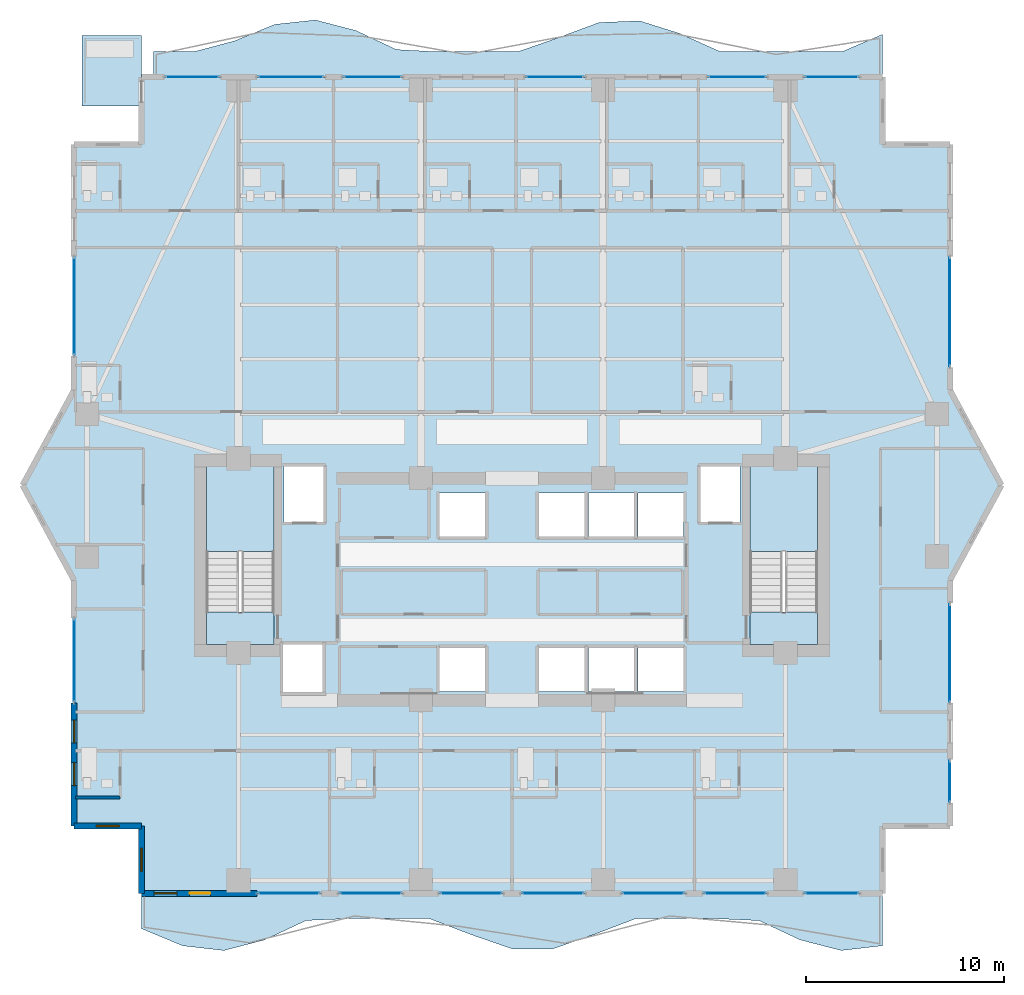
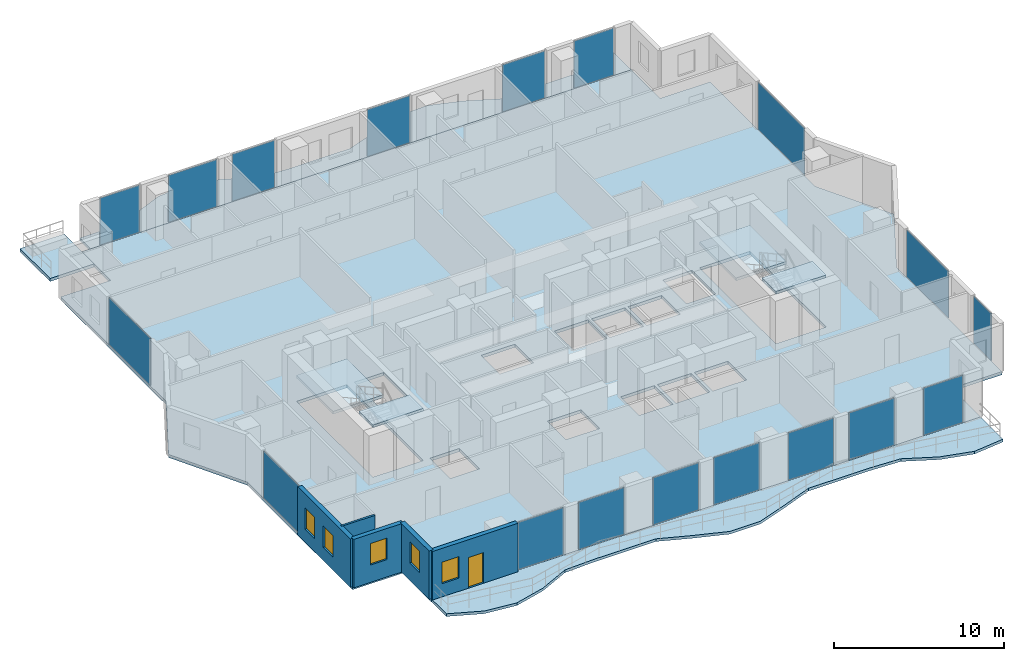
# One storey, part 23 of 33: 18 plates, 8 slabs, 5 walls, 5 windows, 1 door, 6 openings, 20 elements without a shape of their own.
"""IFC4 building model written with IfcOpenShell, lengths in metres."""

from ifc_helpers import new_model, si_unit, direction, frame, frame_2d, origin, origin_2d, place, context, subcontext, project, spatial, polyline, rectangle, outline, extrude, material, layer, layer_set, type_object, element, fill, aggregate, save


model = new_model("IFC4")

# Units and contexts
model_context = context("Model", 3, precision=1e-05, world=origin(), true_north=direction((0.0, 1.0)))
body_context = subcontext(model_context, "Body", "Model", "MODEL_VIEW")
ifc_project = project(units=[si_unit("LENGTHUNIT", "METRE"), si_unit("AREAUNIT", "SQUARE_METRE"), si_unit("VOLUMEUNIT", "CUBIC_METRE"), si_unit("PLANEANGLEUNIT", "RADIAN"), si_unit("MASSUNIT", "GRAM", prefix="KILO")], contexts=[model_context])

# Site, building, storey
site_placement = place(None, origin())
site = spatial("IfcSite", under=ifc_project, at=site_placement, CompositionType="ELEMENT")
building_placement = place(site_placement, origin())
building = spatial("IfcBuilding", under=site, at=building_placement, Name="Zuhayl Quay Hotel", CompositionType="ELEMENT")
storey_placement = place(building_placement, frame((0.0, 0.0, 229.89990234375)))
storey = spatial("IfcBuildingStorey", under=building, at=storey_placement, Name="L58", CompositionType="ELEMENT", Elevation=229.89990234375)

# Curtain wall, plate
ifc_material_1 = material(Name="Anodised Aluminium 6063-T6", Category="aluminium")
ifc_layer_1 = layer(ifc_material_1, 0.175048828125, Name="Anodised Aluminium 6063-T6", Category="aluminium")
ifc_layer_set_1 = layer_set([ifc_layer_1], Name="Anodised Aluminium 6063-T6")
curtain_wall_type = type_object("IfcCurtainWallType", Name="CW_SYS_Z3", PredefinedType="USERDEFINED", material=ifc_layer_set_1)
curtain_wall_1_placement = place(storey_placement, origin())
curtain_wall_1 = element("IfcCurtainWall", 1, at=curtain_wall_1_placement, inside=storey, type_object=curtain_wall_type, Name="L58 Curtain Wall ENV_L58_E02_CW1", ObjectType="UNITISED CURTAIN WALL", PredefinedType="USERDEFINED")
ifc_material_2 = material(Name="Dark Ceramic-Fritted Solar Glass", Category="glass")
ifc_layer_2 = layer(ifc_material_2, 0.0400390625, Name="Dark Ceramic-Fritted Solar Glass", Category="glass")
ifc_layer_set_2 = layer_set([ifc_layer_2], Name="Dark Ceramic-Fritted Solar Glass")
plate_type = type_object("IfcPlateType", Name="PN_OP_VENT_Z3", PredefinedType="CURTAIN_PANEL", material=ifc_layer_set_2)
plate_1_placement = place(storey_placement, frame((-22.10009765625, 4.14990234375, 0.05517578125), z_axis=(0.0, 0.0, 1.0), x_axis=(0.0, 1.0, 0.0)))
plate_1 = element("IfcPlate", 2, at=plate_1_placement, type_object=plate_type, Name="CW-Z3 panel 1.1", PredefinedType="CURTAIN_PANEL", context=body_context, shape_type="SweptSolid", body=[
    extrude(rectangle(XDim=4.169921875, YDim=0.0400390625, at=origin_2d()), origin(), (0.0, 0.0, 1.0), 3.3798828125),
])
aggregate(curtain_wall_1, [plate_1])

curtain_wall_2_placement = place(storey_placement, origin())
curtain_wall_2 = element("IfcCurtainWall", 3, at=curtain_wall_2_placement, inside=storey, type_object=curtain_wall_type, Name="L58 Curtain Wall ENV_L58_E05_CW1", ObjectType="UNITISED CURTAIN WALL", PredefinedType="USERDEFINED")
plate_2_placement = place(storey_placement, frame((-22.10009765625, 22.030029296875, 0.05517578125), z_axis=(0.0, 0.0, 1.0), x_axis=(0.0, 1.0, 0.0)))
plate_2 = element("IfcPlate", 4, at=plate_2_placement, type_object=plate_type, Name="CW-Z3 panel 1.1", PredefinedType="CURTAIN_PANEL", context=body_context, shape_type="SweptSolid", body=[
    extrude(rectangle(XDim=4.909912109375, YDim=0.0400390625, at=origin_2d()), origin(), (0.0, 0.0, 1.0), 3.3798828125),
])
aggregate(curtain_wall_2, [plate_2])

curtain_wall_3_placement = place(storey_placement, origin())
curtain_wall_3 = element("IfcCurtainWall", 5, at=curtain_wall_3_placement, inside=storey, type_object=curtain_wall_type, Name="L58 Curtain Wall ENV_L58_N_CW1", ObjectType="UNITISED CURTAIN WALL", PredefinedType="USERDEFINED")
plate_3_placement = place(storey_placement, frame((-16.135009765625, 33.60009765625, 0.05517578125), z_axis=(0.0, 0.0, 1.0), x_axis=(1.0, 0.0, 0.0)))
plate_3 = element("IfcPlate", 6, at=plate_3_placement, type_object=plate_type, Name="CW-Z3 panel 1.1", PredefinedType="CURTAIN_PANEL", context=body_context, shape_type="SweptSolid", body=[
    extrude(rectangle(XDim=2.699951171875, YDim=0.0400390625, at=origin_2d()), origin(), (0.0, 0.0, 1.0), 3.3798828125),
])
aggregate(curtain_wall_3, [plate_3])

curtain_wall_4_placement = place(storey_placement, origin())
curtain_wall_4 = element("IfcCurtainWall", 7, at=curtain_wall_4_placement, inside=storey, type_object=curtain_wall_type, Name="L58 Curtain Wall ENV_L58_N_CW2", ObjectType="UNITISED CURTAIN WALL", PredefinedType="USERDEFINED")
plate_4_placement = place(storey_placement, frame((-11.1650390625, 33.60009765625, 0.05517578125), z_axis=(0.0, 0.0, 1.0), x_axis=(1.0, 0.0, 0.0)))
plate_4 = element("IfcPlate", 8, at=plate_4_placement, type_object=plate_type, Name="CW-Z3 panel 1.1", PredefinedType="CURTAIN_PANEL", context=body_context, shape_type="SweptSolid", body=[
    extrude(rectangle(XDim=3.300048828125, YDim=0.0400390625, at=origin_2d()), origin(), (0.0, 0.0, 1.0), 3.3798828125),
])
aggregate(curtain_wall_4, [plate_4])

curtain_wall_5_placement = place(storey_placement, origin())
curtain_wall_5 = element("IfcCurtainWall", 9, at=curtain_wall_5_placement, inside=storey, type_object=curtain_wall_type, Name="L58 Curtain Wall ENV_L58_N_CW3", ObjectType="UNITISED CURTAIN WALL", PredefinedType="USERDEFINED")
plate_5_placement = place(storey_placement, frame((-7.034912109375, 33.60009765625, 0.05517578125), z_axis=(0.0, 0.0, 1.0), x_axis=(1.0, 0.0, 0.0)))
plate_5 = element("IfcPlate", 10, at=plate_5_placement, type_object=plate_type, Name="CW-Z3 panel 1.1", PredefinedType="CURTAIN_PANEL", context=body_context, shape_type="SweptSolid", body=[
    extrude(rectangle(XDim=2.89990234375, YDim=0.0400390625, at=origin_2d()), origin(), (0.0, 0.0, 1.0), 3.3798828125),
])
aggregate(curtain_wall_5, [plate_5])

curtain_wall_6_placement = place(storey_placement, origin())
curtain_wall_6 = element("IfcCurtainWall", 11, at=curtain_wall_6_placement, inside=storey, type_object=curtain_wall_type, Name="L58 Curtain Wall ENV_L58_N_CW4", ObjectType="UNITISED CURTAIN WALL", PredefinedType="USERDEFINED")
plate_6_placement = place(storey_placement, frame((2.1650390625, 33.60009765625, 0.05517578125), z_axis=(0.0, 0.0, 1.0), x_axis=(1.0, 0.0, 0.0)))
plate_6 = element("IfcPlate", 12, at=plate_6_placement, type_object=plate_type, Name="CW-Z3 panel 1.1", PredefinedType="CURTAIN_PANEL", context=body_context, shape_type="SweptSolid", body=[
    extrude(rectangle(XDim=2.89990234375, YDim=0.0400390625, at=origin_2d()), origin(), (0.0, 0.0, 1.0), 3.3798828125),
])
aggregate(curtain_wall_6, [plate_6])

curtain_wall_7_placement = place(storey_placement, origin())
curtain_wall_7 = element("IfcCurtainWall", 13, at=curtain_wall_7_placement, inside=storey, type_object=curtain_wall_type, Name="L58 Curtain Wall ENV_L58_N_CW5", ObjectType="UNITISED CURTAIN WALL", PredefinedType="USERDEFINED")
plate_7_placement = place(storey_placement, frame((11.364990234375, 33.60009765625, 0.05517578125), z_axis=(0.0, 0.0, 1.0), x_axis=(1.0, 0.0, 0.0)))
plate_7 = element("IfcPlate", 14, at=plate_7_placement, type_object=plate_type, Name="CW-Z3 panel 1.1", PredefinedType="CURTAIN_PANEL", context=body_context, shape_type="SweptSolid", body=[
    extrude(rectangle(XDim=2.89990234375, YDim=0.0400390625, at=origin_2d()), origin(), (0.0, 0.0, 1.0), 3.3798828125),
])
aggregate(curtain_wall_7, [plate_7])

curtain_wall_8_placement = place(storey_placement, origin())
curtain_wall_8 = element("IfcCurtainWall", 15, at=curtain_wall_8_placement, inside=storey, type_object=curtain_wall_type, Name="L58 Curtain Wall ENV_L58_N_CW6", ObjectType="UNITISED CURTAIN WALL", PredefinedType="USERDEFINED")
plate_8_placement = place(storey_placement, frame((16.135009765625, 33.60009765625, 0.05517578125), z_axis=(0.0, 0.0, 1.0), x_axis=(1.0, 0.0, 0.0)))
plate_8 = element("IfcPlate", 16, at=plate_8_placement, type_object=plate_type, Name="CW-Z3 panel 1.1", PredefinedType="CURTAIN_PANEL", context=body_context, shape_type="SweptSolid", body=[
    extrude(rectangle(XDim=2.699951171875, YDim=0.0400390625, at=origin_2d()), origin(), (0.0, 0.0, 1.0), 3.3798828125),
])
aggregate(curtain_wall_8, [plate_8])

curtain_wall_9_placement = place(storey_placement, origin())
curtain_wall_9 = element("IfcCurtainWall", 17, at=curtain_wall_9_placement, inside=storey, type_object=curtain_wall_type, Name="L58 Curtain Wall ENV_L58_E11_CW1", ObjectType="UNITISED CURTAIN WALL", PredefinedType="USERDEFINED")
plate_9_placement = place(storey_placement, frame((22.10009765625, 21.75, 0.05517578125), z_axis=(0.0, 0.0, 1.0), x_axis=(0.0, -1.0, 0.0)))
plate_9 = element("IfcPlate", 18, at=plate_9_placement, type_object=plate_type, Name="CW-Z3 panel 1.1", PredefinedType="CURTAIN_PANEL", context=body_context, shape_type="SweptSolid", body=[
    extrude(rectangle(XDim=5.469970703125, YDim=0.0400390625, at=origin_2d()), origin(), (0.0, 0.0, 1.0), 3.3798828125),
])
aggregate(curtain_wall_9, [plate_9])

curtain_wall_10_placement = place(storey_placement, origin())
curtain_wall_10 = element("IfcCurtainWall", 19, at=curtain_wall_10_placement, inside=storey, type_object=curtain_wall_type, Name="L58 Curtain Wall ENV_L58_E14_CW1", ObjectType="UNITISED CURTAIN WALL", PredefinedType="USERDEFINED")
plate_10_placement = place(storey_placement, frame((22.10009765625, 4.52490234375, 0.05517578125), z_axis=(0.0, 0.0, 1.0), x_axis=(0.0, -1.0, 0.0)))
plate_10 = element("IfcPlate", 20, at=plate_10_placement, type_object=plate_type, Name="CW-Z3 panel 1.1", PredefinedType="CURTAIN_PANEL", context=body_context, shape_type="SweptSolid", body=[
    extrude(rectangle(XDim=4.919921875, YDim=0.0400390625, at=origin_2d()), origin(), (0.0, 0.0, 1.0), 3.3798828125),
])
aggregate(curtain_wall_10, [plate_10])

curtain_wall_11_placement = place(storey_placement, origin())
curtain_wall_11 = element("IfcCurtainWall", 21, at=curtain_wall_11_placement, inside=storey, type_object=curtain_wall_type, Name="L58 Curtain Wall ENV_L58_E14_CW2", ObjectType="UNITISED CURTAIN WALL", PredefinedType="USERDEFINED")
plate_11_placement = place(storey_placement, frame((22.10009765625, -1.949951171875, 0.05517578125), z_axis=(0.0, 0.0, 1.0), x_axis=(0.0, -1.0, 0.0)))
plate_11 = element("IfcPlate", 22, at=plate_11_placement, type_object=plate_type, Name="CW-Z3 panel 1.1", PredefinedType="CURTAIN_PANEL", context=body_context, shape_type="SweptSolid", body=[
    extrude(rectangle(XDim=2.070068359375, YDim=0.0400390625, at=origin_2d()), origin(), (0.0, 0.0, 1.0), 3.3798828125),
])
aggregate(curtain_wall_11, [plate_11])

curtain_wall_12_placement = place(storey_placement, origin())
curtain_wall_12 = element("IfcCurtainWall", 23, at=curtain_wall_12_placement, inside=storey, type_object=curtain_wall_type, Name="L58 Curtain Wall ENV_L58_S_CW1", ObjectType="UNITISED CURTAIN WALL", PredefinedType="USERDEFINED")
plate_12_placement = place(storey_placement, frame((16.135009765625, -7.60009765625, 0.05517578125), z_axis=(0.0, 0.0, 1.0), x_axis=(-1.0, 0.0, 0.0)))
plate_12 = element("IfcPlate", 24, at=plate_12_placement, type_object=plate_type, Name="CW-Z3 panel 1.1", PredefinedType="CURTAIN_PANEL", context=body_context, shape_type="SweptSolid", body=[
    extrude(rectangle(XDim=2.699951171875, YDim=0.0400390625, at=origin_2d()), origin(), (0.0, 0.0, 1.0), 3.3798828125),
])
aggregate(curtain_wall_12, [plate_12])

curtain_wall_13_placement = place(storey_placement, origin())
curtain_wall_13 = element("IfcCurtainWall", 25, at=curtain_wall_13_placement, inside=storey, type_object=curtain_wall_type, Name="L58 Curtain Wall ENV_L58_S_CW2", ObjectType="UNITISED CURTAIN WALL", PredefinedType="USERDEFINED")
plate_13_placement = place(storey_placement, frame((11.264892578125, -7.60009765625, 0.05517578125), z_axis=(0.0, 0.0, 1.0), x_axis=(-1.0, 0.0, 0.0)))
plate_13 = element("IfcPlate", 26, at=plate_13_placement, type_object=plate_type, Name="CW-Z3 panel 1.1", PredefinedType="CURTAIN_PANEL", context=body_context, shape_type="SweptSolid", body=[
    extrude(rectangle(XDim=3.10009765625, YDim=0.0400390625, at=origin_2d()), origin(), (0.0, 0.0, 1.0), 3.3798828125),
])
aggregate(curtain_wall_13, [plate_13])

curtain_wall_14_placement = place(storey_placement, origin())
curtain_wall_14 = element("IfcCurtainWall", 27, at=curtain_wall_14_placement, inside=storey, type_object=curtain_wall_type, Name="L58 Curtain Wall ENV_L58_S_CW3", ObjectType="UNITISED CURTAIN WALL", PredefinedType="USERDEFINED")
plate_14_placement = place(storey_placement, frame((7.135009765625, -7.60009765625, 0.05517578125), z_axis=(0.0, 0.0, 1.0), x_axis=(-1.0, 0.0, 0.0)))
plate_14 = element("IfcPlate", 28, at=plate_14_placement, type_object=plate_type, Name="CW-Z3 panel 1.1", PredefinedType="CURTAIN_PANEL", context=body_context, shape_type="SweptSolid", body=[
    extrude(rectangle(XDim=3.10009765625, YDim=0.0400390625, at=origin_2d()), origin(), (0.0, 0.0, 1.0), 3.3798828125),
])
aggregate(curtain_wall_14, [plate_14])

curtain_wall_15_placement = place(storey_placement, origin())
curtain_wall_15 = element("IfcCurtainWall", 29, at=curtain_wall_15_placement, inside=storey, type_object=curtain_wall_type, Name="L58 Curtain Wall ENV_L58_S_CW4", ObjectType="UNITISED CURTAIN WALL", PredefinedType="USERDEFINED")
plate_15_placement = place(storey_placement, frame((2.06494140625, -7.60009765625, 0.05517578125), z_axis=(0.0, 0.0, 1.0), x_axis=(-1.0, 0.0, 0.0)))
plate_15 = element("IfcPlate", 30, at=plate_15_placement, type_object=plate_type, Name="CW-Z3 panel 1.1", PredefinedType="CURTAIN_PANEL", context=body_context, shape_type="SweptSolid", body=[
    extrude(rectangle(XDim=3.10009765625, YDim=0.0400390625, at=origin_2d()), origin(), (0.0, 0.0, 1.0), 3.3798828125),
])
aggregate(curtain_wall_15, [plate_15])

curtain_wall_16_placement = place(storey_placement, origin())
curtain_wall_16 = element("IfcCurtainWall", 31, at=curtain_wall_16_placement, inside=storey, type_object=curtain_wall_type, Name="L58 Curtain Wall ENV_L58_S_CW5", ObjectType="UNITISED CURTAIN WALL", PredefinedType="USERDEFINED")
plate_16_placement = place(storey_placement, frame((-2.06494140625, -7.60009765625, 0.05517578125), z_axis=(0.0, 0.0, 1.0), x_axis=(-1.0, 0.0, 0.0)))
plate_16 = element("IfcPlate", 32, at=plate_16_placement, type_object=plate_type, Name="CW-Z3 panel 1.1", PredefinedType="CURTAIN_PANEL", context=body_context, shape_type="SweptSolid", body=[
    extrude(rectangle(XDim=3.10009765625, YDim=0.0400390625, at=origin_2d()), origin(), (0.0, 0.0, 1.0), 3.3798828125),
])
aggregate(curtain_wall_16, [plate_16])

curtain_wall_17_placement = place(storey_placement, origin())
curtain_wall_17 = element("IfcCurtainWall", 33, at=curtain_wall_17_placement, inside=storey, type_object=curtain_wall_type, Name="L58 Curtain Wall ENV_L58_S_CW6", ObjectType="UNITISED CURTAIN WALL", PredefinedType="USERDEFINED")
plate_17_placement = place(storey_placement, frame((-7.135009765625, -7.60009765625, 0.05517578125), z_axis=(0.0, 0.0, 1.0), x_axis=(-1.0, 0.0, 0.0)))
plate_17 = element("IfcPlate", 34, at=plate_17_placement, type_object=plate_type, Name="CW-Z3 panel 1.1", PredefinedType="CURTAIN_PANEL", context=body_context, shape_type="SweptSolid", body=[
    extrude(rectangle(XDim=3.10009765625, YDim=0.0400390625, at=origin_2d()), origin(), (0.0, 0.0, 1.0), 3.3798828125),
])
aggregate(curtain_wall_17, [plate_17])

curtain_wall_18_placement = place(storey_placement, origin())
curtain_wall_18 = element("IfcCurtainWall", 35, at=curtain_wall_18_placement, inside=storey, type_object=curtain_wall_type, Name="L58 Curtain Wall ENV_L58_S_CW7", ObjectType="UNITISED CURTAIN WALL", PredefinedType="USERDEFINED")
plate_18_placement = place(storey_placement, frame((-11.264892578125, -7.60009765625, 0.05517578125), z_axis=(0.0, 0.0, 1.0), x_axis=(-1.0, 0.0, 0.0)))
plate_18 = element("IfcPlate", 36, at=plate_18_placement, type_object=plate_type, Name="CW-Z3 panel 1.1", PredefinedType="CURTAIN_PANEL", context=body_context, shape_type="SweptSolid", body=[
    extrude(rectangle(XDim=3.10009765625, YDim=0.0400390625, at=origin_2d()), origin(), (0.0, 0.0, 1.0), 3.3798828125),
])
aggregate(curtain_wall_18, [plate_18])

# Slabs
ifc_material_3 = material(Name="Concrete C45/55", Category="concrete")
ifc_layer_3 = layer(ifc_material_3, 0.195068359375, Name="Concrete C45/55", Category="concrete")
ifc_layer_set_3 = layer_set([ifc_layer_3], Name="Concrete C45/55")
slab_type_1 = type_object("IfcSlabType", Name="SL_BALCONY_195", PredefinedType="FLOOR", material=ifc_layer_set_3)
slab_1_placement = place(storey_placement, frame((0.0, 0.0, -0.19482421875)))
element("IfcSlab", 37, at=slab_1_placement, inside=storey, type_object=slab_type_1, Name="L58 Exterior Rippling Balcony Slab North", PredefinedType="FLOOR", context=body_context, shape_type="SweptSolid", body=[
    extrude(outline(polyline([(-18.10009765625, 33.60009765625), (18.699951171875, 33.60009765625), (18.699951171875, 35.75830078125), (16.655517578125, 34.8798828125), (14.611083984375, 34.8798828125), (12.566650390625, 34.8798828125), (10.522216796875, 34.8798828125), (8.477783203125, 35.798095703125), (6.433349609375, 36.438720703125), (4.388916015625, 36.353759765625), (2.344482421875, 35.594482421875), (0.300048828125, 34.8798828125), (-1.744384765625, 34.8798828125), (-3.788818359375, 34.8798828125), (-5.833251953125, 34.989990234375), (-7.877685546875, 35.948974609375), (-9.922119140625, 36.48095703125), (-11.966796875, 36.26123046875), (-14.010986328125, 35.424072265625), (-16.0556640625, 34.8798828125), (-18.10009765625, 34.8798828125), (-18.10009765625, 33.60009765625)])), origin(), (0.0, 0.0, 1.0), 0.19482421875),
])
slab_2_placement = place(storey_placement, frame((0.0, 0.0, -0.19482421875)))
element("IfcSlab", 38, at=slab_2_placement, inside=storey, type_object=slab_type_1, Name="L58 Exterior Rippling Balcony Slab South", PredefinedType="FLOOR", context=body_context, shape_type="SweptSolid", body=[
    extrude(outline(polyline([(-18.699951171875, -9.380615234375), (-16.622314453125, -10.2451171875), (-14.54443359375, -10.48291015625), (-12.466796875, -9.944580078125), (-10.388916015625, -8.96875), (-8.31103515625, -8.8798828125), (-6.2333984375, -8.8798828125), (-4.155517578125, -8.8798828125), (-2.077880859375, -9.677490234375), (0.0, -10.3984375), (2.077880859375, -10.396240234375), (4.155517578125, -9.67236328125), (6.2333984375, -8.8798828125), (8.31103515625, -8.8798828125), (10.388916015625, -8.8798828125), (12.466796875, -8.97412109375), (14.54443359375, -9.948974609375), (16.622314453125, -10.483642578125), (18.699951171875, -10.24169921875), (18.699951171875, -7.60009765625), (-18.699951171875, -7.60009765625), (-18.699951171875, -9.380615234375)])), origin(), (0.0, 0.0, 1.0), 0.19482421875),
])
ifc_layer_4 = layer(ifc_material_3, 0.219970703125, Name="Concrete C45/55", Category="concrete")
ifc_layer_set_4 = layer_set([ifc_layer_4], Name="Concrete C45/55")
slab_type_2 = type_object("IfcSlabType", Name="SL_FLOOR_220", PredefinedType="FLOOR", material=ifc_layer_set_4)
slab_3_placement = place(storey_placement, frame((0.0, 0.0, -0.219970703125)))
element("IfcSlab", 39, at=slab_3_placement, inside=storey, type_object=slab_type_2, Name="L58 Structural Floor Slab", PredefinedType="FLOOR", context=body_context, shape_type="SweptSolid", body=[
    extrude(outline(polyline([(-18.699951171875, -7.60009765625), (18.699951171875, -7.60009765625), (18.699951171875, -4.199951171875), (22.10009765625, -4.199951171875), (22.10009765625, 8.199951171875), (24.699951171875, 13.0), (22.10009765625, 17.800048828125), (22.10009765625, 30.199951171875), (18.699951171875, 30.199951171875), (18.699951171875, 33.60009765625), (-18.699951171875, 33.60009765625), (-18.699951171875, 30.199951171875), (-22.10009765625, 30.199951171875), (-22.10009765625, 17.800048828125), (-24.699951171875, 13.0), (-22.10009765625, 8.199951171875), (-22.10009765625, -4.199951171875), (-18.699951171875, -4.199951171875), (-18.699951171875, -7.60009765625)]), holes=[polyline([(-12.0, 4.949951171875), (-12.0, 13.949951171875), (-15.429931640625, 13.949951171875), (-15.429931640625, 4.949951171875), (-12.0, 4.949951171875)]), polyline([(15.429931640625, 4.949951171875), (15.429931640625, 13.949951171875), (12.0, 13.949951171875), (12.0, 4.949951171875), (15.429931640625, 4.949951171875)]), polyline([(-11.5, 11.14990234375), (-9.5, 11.14990234375), (-9.5, 13.949951171875), (-11.5, 13.949951171875), (-11.5, 11.14990234375)]), polyline([(9.5, 11.14990234375), (11.5, 11.14990234375), (11.5, 13.949951171875), (9.5, 13.949951171875), (9.5, 11.14990234375)]), polyline([(-3.64990234375, 2.60009765625), (-1.35009765625, 2.60009765625), (-1.35009765625, 4.800048828125), (-3.64990234375, 4.800048828125), (-3.64990234375, 2.60009765625)]), polyline([(1.35009765625, 2.60009765625), (3.64990234375, 2.60009765625), (3.64990234375, 4.800048828125), (1.35009765625, 4.800048828125), (1.35009765625, 2.60009765625)]), polyline([(-3.64990234375, 10.39990234375), (-1.35009765625, 10.39990234375), (-1.35009765625, 12.60009765625), (-3.64990234375, 12.60009765625), (-3.64990234375, 10.39990234375)]), polyline([(1.35009765625, 10.39990234375), (3.64990234375, 10.39990234375), (3.64990234375, 12.60009765625), (1.35009765625, 12.60009765625), (1.35009765625, 10.39990234375)]), polyline([(3.85009765625, 2.60009765625), (6.14990234375, 2.60009765625), (6.14990234375, 4.800048828125), (3.85009765625, 4.800048828125), (3.85009765625, 2.60009765625)]), polyline([(6.35009765625, 2.60009765625), (8.64990234375, 2.60009765625), (8.64990234375, 4.800048828125), (6.35009765625, 4.800048828125), (6.35009765625, 2.60009765625)]), polyline([(3.85009765625, 10.39990234375), (6.14990234375, 10.39990234375), (6.14990234375, 12.60009765625), (3.85009765625, 12.60009765625), (3.85009765625, 10.39990234375)]), polyline([(6.35009765625, 10.39990234375), (8.64990234375, 10.39990234375), (8.64990234375, 12.60009765625), (6.35009765625, 12.60009765625), (6.35009765625, 10.39990234375)]), polyline([(-11.550048828125, 2.550048828125), (-9.550048828125, 2.550048828125), (-9.550048828125, 4.949951171875), (-11.550048828125, 4.949951171875), (-11.550048828125, 2.550048828125)])]), origin(), (0.0, 0.0, 1.0), 0.219970703125),
])

# Stair, slabs
stair_type = type_object("IfcStairType", Name="ST_DOGLEG_TOWER", PredefinedType="HALF_TURN_STAIR", material=ifc_material_3)
stair_1_placement = place(storey_placement, origin())
stair_1 = element("IfcStair", 40, at=stair_1_placement, inside=storey, type_object=stair_type, Name="L58 Smokeproof Exit Stair ST1", PredefinedType="HALF_TURN_STAIR")
ifc_layer_5 = layer(ifc_material_3, 0.199951171875, Name="Concrete C45/55", Category="concrete")
ifc_layer_set_5 = layer_set([ifc_layer_5], Name="Concrete C45/55")
slab_type_3 = type_object("IfcSlabType", Name="SL_STAIR_LANDING_200", PredefinedType="LANDING", material=ifc_layer_set_5)
slab_4_placement = place(storey_placement, frame((0.0, 0.0, 1.675048828125)))
slab_4 = element("IfcSlab", 41, at=slab_4_placement, type_object=slab_type_3, Name="ST1 landing 1", PredefinedType="LANDING", context=body_context, shape_type="SweptSolid", body=[
    extrude(outline(polyline([(-12.0, 9.64990234375), (-12.0, 13.949951171875), (-15.429931640625, 13.949951171875), (-15.429931640625, 9.64990234375), (-12.0, 9.64990234375)])), origin(), (0.0, 0.0, 1.0), 0.199951171875),
])
slab_5_placement = place(storey_placement, frame((0.0, 0.0, 3.550048828125)))
slab_5 = element("IfcSlab", 42, at=slab_5_placement, type_object=slab_type_3, Name="ST1 landing 2", PredefinedType="LANDING", context=body_context, shape_type="SweptSolid", body=[
    extrude(outline(polyline([(-12.0, 4.949951171875), (-12.0, 6.590087890625), (-15.429931640625, 6.590087890625), (-15.429931640625, 4.949951171875), (-12.0, 4.949951171875)])), origin(), (0.0, 0.0, 1.0), 0.199951171875),
])
aggregate(stair_1, [slab_4, slab_5])

stair_2_placement = place(storey_placement, origin())
stair_2 = element("IfcStair", 43, at=stair_2_placement, inside=storey, type_object=stair_type, Name="L58 Smokeproof Exit Stair ST2", PredefinedType="HALF_TURN_STAIR")
slab_6_placement = place(storey_placement, frame((0.0, 0.0, 1.675048828125)))
slab_6 = element("IfcSlab", 44, at=slab_6_placement, type_object=slab_type_3, Name="ST2 landing 1", PredefinedType="LANDING", context=body_context, shape_type="SweptSolid", body=[
    extrude(outline(polyline([(15.429931640625, 9.64990234375), (15.429931640625, 13.949951171875), (12.0, 13.949951171875), (12.0, 9.64990234375), (15.429931640625, 9.64990234375)])), origin(), (0.0, 0.0, 1.0), 0.199951171875),
])
slab_7_placement = place(storey_placement, frame((0.0, 0.0, 3.550048828125)))
slab_7 = element("IfcSlab", 45, at=slab_7_placement, type_object=slab_type_3, Name="ST2 landing 2", PredefinedType="LANDING", context=body_context, shape_type="SweptSolid", body=[
    extrude(outline(polyline([(15.429931640625, 4.949951171875), (15.429931640625, 6.590087890625), (12.0, 6.590087890625), (12.0, 4.949951171875), (15.429931640625, 4.949951171875)])), origin(), (0.0, 0.0, 1.0), 0.199951171875),
])
aggregate(stair_2, [slab_6, slab_7])

# Slab
ifc_layer_6 = layer(ifc_material_3, 0.219970703125, Name="Concrete C45/55", Category="concrete")
ifc_layer_set_6 = layer_set([ifc_layer_6], Name="Concrete C45/55")
slab_type_4 = type_object("IfcSlabType", Name="SL_TERRACE_235", PredefinedType="FLOOR", material=ifc_layer_set_6)
slab_8_placement = place(storey_placement, frame((0.0, 0.0, -0.219970703125)))
element("IfcSlab", 46, at=slab_8_placement, inside=storey, type_object=slab_type_4, Name="L58 Exterior Sky-Terrace Slab L58_SPIRAL_NW", PredefinedType="FLOOR", context=body_context, shape_type="SweptSolid", body=[
    extrude(outline(polyline([(-21.699951171875, 32.14990234375), (-18.699951171875, 32.14990234375), (-18.699951171875, 35.699951171875), (-21.699951171875, 35.699951171875), (-21.699951171875, 32.14990234375)])), origin(), (0.0, 0.0, 1.0), 0.219970703125),
])

# Wall, opening, window
ifc_material_4 = material(Name="Precast concrete C45/55", Category="concrete")
ifc_layer_7 = layer(ifc_material_4, 0.300048828125, Name="Precast concrete C45/55", Category="concrete")
ifc_layer_set_7 = layer_set([ifc_layer_7], Name="Precast concrete C45/55")
wall_type_1 = type_object("IfcWallType", Name="WL_EXT_300", PredefinedType="STANDARD", material=ifc_layer_set_7)
wall_1_placement = place(storey_placement, frame((-18.699951171875, -4.199951171875, 0.0), z_axis=(0.0, 0.0, 1.0), x_axis=(-1.0, 0.0, 0.0)))
wall_1 = element("IfcWall", 47, at=wall_1_placement, inside=storey, type_object=wall_type_1, Name="L58 Exterior Precast Wall ENV_L58_EW01", PredefinedType="STANDARD", context=body_context, shape_type="SweptSolid", body=[
    extrude(rectangle(XDim=3.400146484375, YDim=0.300048828125, at=frame_2d((1.7001953125, 0.0))), origin(), (0.0, 0.0, 1.0), 3.489990234375),
])
opening_1_placement = place(wall_1_placement, frame((1.125, 0.0, 1.25)))
opening_1 = element("IfcOpeningElement", 48, at=opening_1_placement, cuts=wall_1, Name="Opening W01N", PredefinedType="OPENING", context=body_context, shape_type="SweptSolid", body=[
    extrude(rectangle(XDim=1.14990234375, YDim=1.550048828125, at=frame_2d((0.574951171875, 0.77490234375))), frame((0.0, 0.159912109375, 0.0), z_axis=(0.0, -1.0, 0.0), x_axis=(1.0, 0.0, 0.0)), (0.0, 0.0, 1.0), 0.320068359375),
])
window_type = type_object("IfcWindowType", Name="WN_NOTCH_1350", PartitioningType="SINGLE_PANEL", PredefinedType="WINDOW", material=ifc_material_2)
window_1_placement = place(opening_1_placement, origin())
window_1 = element("IfcWindow", 49, at=window_1_placement, inside=storey, type_object=window_type, Name="L58 Corner Notch Window 1", OverallHeight=1.550048828125, OverallWidth=1.14990234375, PartitioningType="SINGLE_PANEL", PredefinedType="WINDOW", context=body_context, shape_type="SweptSolid", body=[
    extrude(rectangle(XDim=1.14990234375, YDim=1.550048828125, at=frame_2d((0.574951171875, 0.77490234375))), frame((0.0, 0.030029296875, 0.0), z_axis=(0.0, -1.0, 0.0), x_axis=(1.0, 0.0, 0.0)), (0.0, 0.0, 1.0), 0.06005859375),
])
fill(opening_1, window_1)

# Wall, openings, windows
wall_2_placement = place(storey_placement, frame((-22.10009765625, -4.199951171875, 0.0), z_axis=(0.0, 0.0, 1.0), x_axis=(0.0, 1.0, 0.0)))
wall_2 = element("IfcWall", 50, at=wall_2_placement, inside=storey, type_object=wall_type_1, Name="L58 Exterior Precast Wall ENV_L58_E02_EW1", PredefinedType="STANDARD", context=body_context, shape_type="SweptSolid", body=[
    extrude(rectangle(XDim=6.199951171875, YDim=0.300048828125, at=frame_2d((3.10009765625, 0.0))), origin(), (0.0, 0.0, 1.0), 3.489990234375),
])
opening_2_placement = place(wall_2_placement, frame((2.044921875, 0.0, 0.949951171875)))
opening_2 = element("IfcOpeningElement", 51, at=opening_2_placement, cuts=wall_2, Name="Opening W01N", PredefinedType="OPENING", context=body_context, shape_type="SweptSolid", body=[
    extrude(rectangle(XDim=1.14990234375, YDim=1.550048828125, at=frame_2d((0.574951171875, 0.77490234375))), frame((0.0, 0.159912109375, 0.0), z_axis=(0.0, -1.0, 0.0), x_axis=(1.0, 0.0, 0.0)), (0.0, 0.0, 1.0), 0.320068359375),
])
opening_3_placement = place(wall_2_placement, frame((4.199951171875, 0.0, 0.949951171875)))
opening_3 = element("IfcOpeningElement", 52, at=opening_3_placement, cuts=wall_2, Name="Opening W01N", PredefinedType="OPENING", context=body_context, shape_type="SweptSolid", body=[
    extrude(rectangle(XDim=1.14990234375, YDim=1.550048828125, at=frame_2d((0.574951171875, 0.77490234375))), frame((0.0, 0.159912109375, 0.0), z_axis=(0.0, -1.0, 0.0), x_axis=(1.0, 0.0, 0.0)), (0.0, 0.0, 1.0), 0.320068359375),
])
window_2_placement = place(opening_2_placement, origin())
window_2 = element("IfcWindow", 53, at=window_2_placement, inside=storey, type_object=window_type, Name="L58 Operable Facade Window 1-1", OverallHeight=1.550048828125, OverallWidth=1.14990234375, PartitioningType="SINGLE_PANEL", PredefinedType="WINDOW", context=body_context, shape_type="SweptSolid", body=[
    extrude(rectangle(XDim=1.14990234375, YDim=1.550048828125, at=frame_2d((0.574951171875, 0.77490234375))), frame((0.0, 0.030029296875, 0.0), z_axis=(0.0, -1.0, 0.0), x_axis=(1.0, 0.0, 0.0)), (0.0, 0.0, 1.0), 0.06005859375),
])
fill(opening_2, window_2)
window_3_placement = place(opening_3_placement, origin())
window_3 = element("IfcWindow", 54, at=window_3_placement, inside=storey, type_object=window_type, Name="L58 Operable Facade Window 1-2", OverallHeight=1.550048828125, OverallWidth=1.14990234375, PartitioningType="SINGLE_PANEL", PredefinedType="WINDOW", context=body_context, shape_type="SweptSolid", body=[
    extrude(rectangle(XDim=1.14990234375, YDim=1.550048828125, at=frame_2d((0.574951171875, 0.77490234375))), frame((0.0, 0.030029296875, 0.0), z_axis=(0.0, -1.0, 0.0), x_axis=(1.0, 0.0, 0.0)), (0.0, 0.0, 1.0), 0.06005859375),
])
fill(opening_3, window_3)

# Wall, openings, door, window
wall_3_placement = place(storey_placement, frame((-12.8798828125, -7.60009765625, 0.0), z_axis=(0.0, 0.0, 1.0), x_axis=(-1.0, 0.0, 0.0)))
wall_3 = element("IfcWall", 55, at=wall_3_placement, inside=storey, type_object=wall_type_1, Name="L58 Exterior Precast Wall ENV_L58_S_EW8", PredefinedType="STANDARD", context=body_context, shape_type="SweptSolid", body=[
    extrude(rectangle(XDim=5.820068359375, YDim=0.300048828125, at=frame_2d((2.91015625, 0.0))), origin(), (0.0, 0.0, 1.0), 3.489990234375),
])
opening_4_placement = place(wall_3_placement, frame((2.340087890625, 0.0, 0.0)))
opening_4 = element("IfcOpeningElement", 56, at=opening_4_placement, cuts=wall_3, Name="Opening DG1", PredefinedType="OPENING", context=body_context, shape_type="SweptSolid", body=[
    extrude(rectangle(XDim=1.050048828125, YDim=2.199951171875, at=frame_2d((0.52490234375, 1.10009765625))), frame((0.0, 0.159912109375, 0.0), z_axis=(0.0, -1.0, 0.0), x_axis=(1.0, 0.0, 0.0)), (0.0, 0.0, 1.0), 0.320068359375),
])
opening_5_placement = place(wall_3_placement, frame((4.034912109375, 0.0, 0.949951171875)))
opening_5 = element("IfcOpeningElement", 57, at=opening_5_placement, cuts=wall_3, Name="Opening W01N", PredefinedType="OPENING", context=body_context, shape_type="SweptSolid", body=[
    extrude(rectangle(XDim=1.14990234375, YDim=1.550048828125, at=frame_2d((0.574951171875, 0.77490234375))), frame((0.0, 0.159912109375, 0.0), z_axis=(0.0, -1.0, 0.0), x_axis=(1.0, 0.0, 0.0)), (0.0, 0.0, 1.0), 0.320068359375),
])
ifc_material_5 = material(Name="Anodised Aluminium and Dark Solar Glass", Category="aluminium")
door_type = type_object("IfcDoorType", Name="DR_EXT_TERR_1050", OperationType="NOTDEFINED", PredefinedType="DOOR", material=ifc_material_5)
door_placement = place(opening_4_placement, origin())
door = element("IfcDoor", 58, at=door_placement, inside=storey, type_object=door_type, Name="L58 South Rippling Balcony Door", OperationType="SINGLE_SWING_RIGHT", OverallHeight=2.199951171875, OverallWidth=1.050048828125, PredefinedType="DOOR", context=body_context, shape_type="SweptSolid", body=[
    extrude(rectangle(XDim=1.050048828125, YDim=2.199951171875, at=frame_2d((0.52490234375, 1.10009765625))), frame((0.0, 0.02490234375, 0.0), z_axis=(0.0, -1.0, 0.0), x_axis=(1.0, 0.0, 0.0)), (0.0, 0.0, 1.0), 0.050048828125),
])
fill(opening_4, door)
window_4_placement = place(opening_5_placement, origin())
window_4 = element("IfcWindow", 59, at=window_4_placement, inside=storey, type_object=window_type, Name="L58 Operable Facade Window 8-1", OverallHeight=1.550048828125, OverallWidth=1.14990234375, PartitioningType="SINGLE_PANEL", PredefinedType="WINDOW", context=body_context, shape_type="SweptSolid", body=[
    extrude(rectangle(XDim=1.14990234375, YDim=1.550048828125, at=frame_2d((0.574951171875, 0.77490234375))), frame((0.0, 0.030029296875, 0.0), z_axis=(0.0, -1.0, 0.0), x_axis=(1.0, 0.0, 0.0)), (0.0, 0.0, 1.0), 0.06005859375),
])
fill(opening_5, window_4)

# Wall, opening, window
wall_4_placement = place(storey_placement, frame((-18.699951171875, -7.60009765625, 0.0), z_axis=(0.0, 0.0, 1.0), x_axis=(0.0, 1.0, 0.0)))
wall_4 = element("IfcWall", 60, at=wall_4_placement, inside=storey, type_object=wall_type_1, Name="L58 Exterior Precast Wall ENV_L58_EW18", PredefinedType="STANDARD", context=body_context, shape_type="SweptSolid", body=[
    extrude(rectangle(XDim=3.400146484375, YDim=0.300048828125, at=frame_2d((1.7001953125, 0.0))), origin(), (0.0, 0.0, 1.0), 3.489990234375),
])
opening_6_placement = place(wall_4_placement, frame((1.125, 0.0, 1.25)))
opening_6 = element("IfcOpeningElement", 61, at=opening_6_placement, cuts=wall_4, Name="Opening W01N", PredefinedType="OPENING", context=body_context, shape_type="SweptSolid", body=[
    extrude(rectangle(XDim=1.14990234375, YDim=1.550048828125, at=frame_2d((0.574951171875, 0.77490234375))), frame((0.0, 0.159912109375, 0.0), z_axis=(0.0, -1.0, 0.0), x_axis=(1.0, 0.0, 0.0)), (0.0, 0.0, 1.0), 0.320068359375),
])
window_5_placement = place(opening_6_placement, origin())
window_5 = element("IfcWindow", 62, at=window_5_placement, inside=storey, type_object=window_type, Name="L58 Corner Notch Window 18", OverallHeight=1.550048828125, OverallWidth=1.14990234375, PartitioningType="SINGLE_PANEL", PredefinedType="WINDOW", context=body_context, shape_type="SweptSolid", body=[
    extrude(rectangle(XDim=1.14990234375, YDim=1.550048828125, at=frame_2d((0.574951171875, 0.77490234375))), frame((0.0, 0.030029296875, 0.0), z_axis=(0.0, -1.0, 0.0), x_axis=(1.0, 0.0, 0.0)), (0.0, 0.0, 1.0), 0.06005859375),
])
fill(opening_6, window_5)

# Wall
ifc_material_6 = material(Name="Moisture-Resistant Sanitarychase Gypsum")
ifc_layer_8 = layer(ifc_material_6, 0.135009765625, Name="Moisture-Resistant Sanitarychase Gypsum")
ifc_layer_set_8 = layer_set([ifc_layer_8], Name="Moisture-Resistant Sanitarychase Gypsum")
wall_type_2 = type_object("IfcWallType", Name="WL_PART_PLUMB_150", PredefinedType="PLUMBINGWALL", material=ifc_layer_set_8)
wall_5_placement = place(storey_placement, frame((-22.0400390625, -2.760009765625, 0.0), z_axis=(0.0, 0.0, 1.0), x_axis=(1.0, 0.0, 0.0)))
element("IfcWall", 63, at=wall_5_placement, inside=storey, type_object=wall_type_2, Name="L58 Partition IW_L58_SU01_BS", PredefinedType="PLUMBINGWALL", context=body_context, shape_type="SweptSolid", body=[
    extrude(rectangle(XDim=2.260009765625, YDim=0.135009765625, at=frame_2d((1.1298828125, 0.0))), origin(), (0.0, 0.0, 1.0), 3.489990234375),
])

save(model, "model.ifc")
